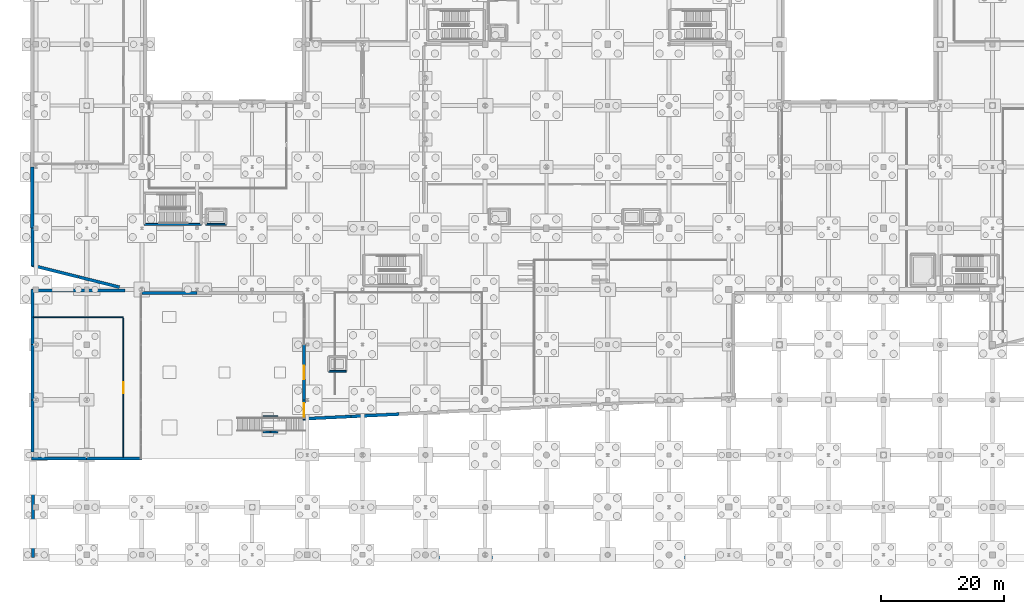
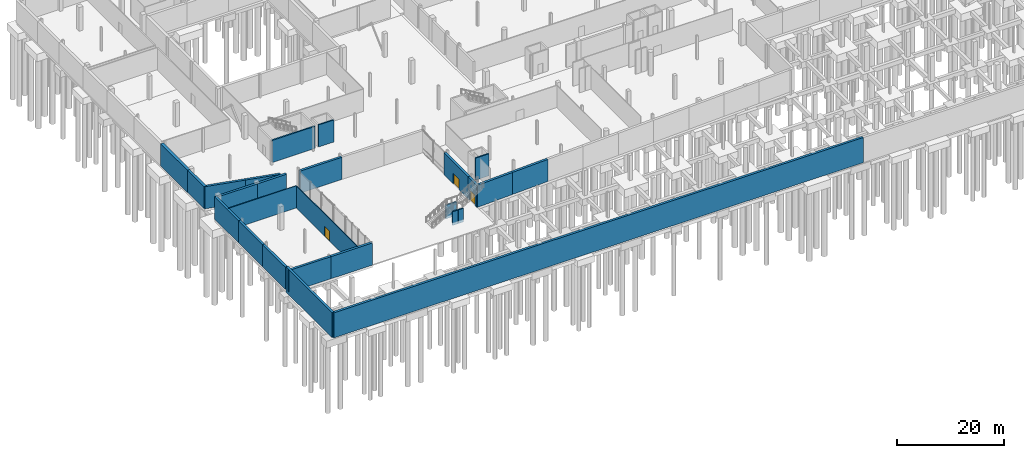
# One storey, part 42 of 60: 26 walls, 3 doors, 3 openings.
"""IFC4 building model written with IfcOpenShell, lengths in metres."""

from ifc_helpers import new_model, si_unit, direction, frame, frame_2d, origin, place, context, subcontext, project, spatial, rectangle, extrude, material, layer, layer_set, type_object, element, fill, save


model = new_model("IFC4")

# Units and contexts
model_context = context("Model", 3, precision=1e-05, world=origin(), true_north=direction((0.0, 1.0)))
body_context = subcontext(model_context, "Body", "Model", "MODEL_VIEW")
ifc_project = project(units=[si_unit("LENGTHUNIT", "METRE"), si_unit("AREAUNIT", "SQUARE_METRE"), si_unit("VOLUMEUNIT", "CUBIC_METRE"), si_unit("PLANEANGLEUNIT", "RADIAN"), si_unit("MASSUNIT", "GRAM", prefix="KILO")], contexts=[model_context])

# Site, building, storey
site_placement = place(None, origin())
site = spatial("IfcSite", under=ifc_project, at=site_placement, CompositionType="ELEMENT")
building_placement = place(site_placement, origin())
building = spatial("IfcBuilding", under=site, at=building_placement, Name="Trimount Lyric Opera House", CompositionType="ELEMENT")
storey_placement = place(building_placement, frame((0.0, 0.0, -5.39990234375)))
storey = spatial("IfcBuildingStorey", under=building, at=storey_placement, Name="B1", CompositionType="ELEMENT", Elevation=-5.39990234375)

# Wall
ifc_material_1 = material(Name="Acoustic Double-Stud Gypsum Board")
ifc_layer_1 = layer(ifc_material_1, 0.1650390625)
ifc_layer_set_1 = layer_set([ifc_layer_1], Name="WL-PT165")
wall_type_1 = type_object("IfcWallType", Name="WL-PT165", PredefinedType="PARTITIONING", material=ifc_layer_set_1)
wall_1_placement = place(storey_placement, frame((15.0, 39.5, 0.0), z_axis=(0.0, 0.0, 1.0), x_axis=(-1.0, 0.0, 0.0)))
element("IfcWall", 1, at=wall_1_placement, inside=storey, type_object=wall_type_1, Name="B1 Metro Ticket Concourse N partition", PredefinedType="PARTITIONING", context=body_context, shape_type="SweptSolid", body=[
    extrude(rectangle(XDim=14.75, YDim=0.1650390625, at=frame_2d((7.375, 0.0))), origin(), (0.0, 0.0, 1.0), 5.0498046875),
])

# Wall, opening, door
wall_2_placement = place(storey_placement, frame((15.0, 16.60009765625, 0.0), z_axis=(0.0, 0.0, 1.0), x_axis=(0.0, 1.0, 0.0)))
wall_2 = element("IfcWall", 2, at=wall_2_placement, inside=storey, type_object=wall_type_1, Name="B1 Metro Ticket Concourse E partition", PredefinedType="PARTITIONING", context=body_context, shape_type="SweptSolid", body=[
    extrude(rectangle(XDim=22.73486328125, YDim=0.1650390625, at=frame_2d((11.367431640625, 0.0))), origin(), (0.0, 0.0, 1.0), 5.0498046875),
])
opening_1_placement = place(wall_2_placement, frame((10.492431640625, 0.0, 0.0)))
opening_1 = element("IfcOpeningElement", 3, at=opening_1_placement, cuts=wall_2, Name="Opening DT-COR1", PredefinedType="OPENING", context=body_context, shape_type="SweptSolid", body=[
    extrude(rectangle(XDim=1.75, YDim=2.199951171875, at=frame_2d((0.875, 1.10009765625))), frame((0.0, 0.092529296875, 0.0), z_axis=(0.0, -1.0, 0.0), x_axis=(1.0, 0.0, 0.0)), (0.0, 0.0, 1.0), 0.18505859375),
])
ifc_material_2 = material(Name="Fire-Rated Timber Veneer", Category="wood")
door_type_1 = type_object("IfcDoorType", Name="DT-COR1", OperationType="DOUBLE_DOOR_SINGLE_SWING", PredefinedType="DOOR", material=ifc_material_2)
door_1_placement = place(opening_1_placement, origin())
door_1 = element("IfcDoor", 4, at=door_1_placement, inside=storey, type_object=door_type_1, Name="D-162", OperationType="DOUBLE_DOOR_SINGLE_SWING", OverallHeight=2.199951171875, OverallWidth=1.75, PredefinedType="DOOR", context=body_context, shape_type="SweptSolid", body=[
    extrude(rectangle(XDim=1.75, YDim=2.199951171875, at=frame_2d((0.875, 1.10009765625))), frame((0.0, 0.02490234375, 0.0), z_axis=(0.0, -1.0, 0.0), x_axis=(1.0, 0.0, 0.0)), (0.0, 0.0, 1.0), 0.050048828125),
])
fill(opening_1, door_1)

# Walls
ifc_material_3 = material(Name="Concrete C40/50", Category="concrete")
ifc_layer_2 = layer(ifc_material_3, 0.5)
ifc_layer_set_2 = layer_set([ifc_layer_2], Name="WL-RET500")
wall_type_2 = type_object("IfcWallType", Name="WL-RET500", PredefinedType="USERDEFINED", material=ifc_layer_set_2)
wall_3_placement = place(storey_placement, frame((0.25, 0.25, -0.60009765625), z_axis=(0.0, 0.0, 1.0), x_axis=(1.0, 0.0, 0.0)))
element("IfcWall", 5, at=wall_3_placement, inside=storey, type_object=wall_type_2, Name="B1 plaza perimeter retaining plinth wall PLINTH-S1", ObjectType="RETAININGWALL", PredefinedType="USERDEFINED", context=body_context, shape_type="SweptSolid", body=[
    extrude(rectangle(XDim=114.25, YDim=0.5, at=frame_2d((57.125, 0.0))), origin(), (0.0, 0.0, 1.0), 5.719970703125),
])
wall_4_placement = place(storey_placement, frame((0.25, 0.25, -0.60009765625), z_axis=(0.0, 0.0, 1.0), x_axis=(0.0, 1.0, 0.0)))
element("IfcWall", 6, at=wall_4_placement, inside=storey, type_object=wall_type_2, Name="B1 plaza perimeter retaining plinth wall PLINTH-W1", ObjectType="RETAININGWALL", PredefinedType="USERDEFINED", context=body_context, shape_type="SweptSolid", body=[
    extrude(rectangle(XDim=17.25, YDim=0.5, at=frame_2d((8.625, 0.0))), origin(), (0.0, 0.0, 1.0), 5.719970703125),
])
wall_5_placement = place(storey_placement, frame((0.139892578125, 47.820068359375, 0.0), z_axis=(0.0, 0.0, 1.0), x_axis=(0.0, 1.0, 0.0)))
element("IfcWall", 7, at=wall_5_placement, inside=storey, type_object=wall_type_2, Name="B1 exterior retaining wall 001", ObjectType="RETAININGWALL", PredefinedType="USERDEFINED", context=body_context, shape_type="SweptSolid", body=[
    extrude(rectangle(XDim=6.179931640625, YDim=0.5, at=frame_2d((3.08984375, 0.0))), origin(), (0.0, 0.0, 1.0), 5.0498046875),
])
wall_6_placement = place(storey_placement, frame((59.94873046875, 23.669677734375, 0.0), z_axis=(0.0, 0.0, 1.0), x_axis=(-0.998810906812, -0.048752153124, 0.0)))
element("IfcWall", 8, at=wall_6_placement, inside=storey, type_object=wall_type_2, Name="B1 exterior retaining wall 054", ObjectType="RETAININGWALL", PredefinedType="USERDEFINED", context=body_context, shape_type="SweptSolid", body=[
    extrude(rectangle(XDim=7.8271484375, YDim=0.5, at=frame_2d((3.91357421875, 0.0))), origin(), (0.0, 0.0, 1.0), 5.02001953125),
])
wall_7_placement = place(storey_placement, frame((52.130859375, 23.2880859375, 0.0), z_axis=(0.0, 0.0, 1.0), x_axis=(-0.998812351125, -0.048722553713, 0.0)))
element("IfcWall", 9, at=wall_7_placement, inside=storey, type_object=wall_type_2, Name="B1 exterior retaining wall 055", ObjectType="RETAININGWALL", PredefinedType="USERDEFINED", context=body_context, shape_type="SweptSolid", body=[
    extrude(rectangle(XDim=7.826904296875, YDim=0.5, at=frame_2d((3.91357421875, 0.0))), origin(), (0.0, 0.0, 1.0), 5.02001953125),
])

# Wall, opening, door
wall_8_placement = place(storey_placement, frame((44.4599609375, 22.766845703125, 0.0), z_axis=(0.0, 0.0, 1.0), x_axis=(0.0, 1.0, 0.0)))
wall_8 = element("IfcWall", 10, at=wall_8_placement, inside=storey, type_object=wall_type_2, Name="B1 exterior retaining wall 056", ObjectType="RETAININGWALL", PredefinedType="USERDEFINED", context=body_context, shape_type="SweptSolid", body=[
    extrude(rectangle(XDim=3.233154296875, YDim=0.5, at=frame_2d((1.61669921875, 0.0))), origin(), (0.0, 0.0, 1.0), 5.02001953125),
])
opening_2_placement = place(wall_8_placement, frame((0.5166015625, 0.0, 0.0)))
opening_2 = element("IfcOpeningElement", 11, at=opening_2_placement, cuts=wall_8, Name="Opening DT-EX2", PredefinedType="OPENING", context=body_context, shape_type="SweptSolid", body=[
    extrude(rectangle(XDim=2.199951171875, YDim=2.39990234375, at=frame_2d((1.10009765625, 1.199951171875))), frame((0.0, 0.260009765625, 0.0), z_axis=(0.0, -1.0, 0.0), x_axis=(1.0, 0.0, 0.0)), (0.0, 0.0, 1.0), 0.52001953125),
])
ifc_material_4 = material(Name="Anodised Bronze Glazed Assembly")
door_type_2 = type_object("IfcDoorType", Name="DT-EX2", OperationType="DOUBLE_DOOR_SINGLE_SWING", PredefinedType="DOOR", material=ifc_material_4)
door_2_placement = place(opening_2_placement, origin())
door_2 = element("IfcDoor", 12, at=door_2_placement, inside=storey, type_object=door_type_2, Name="D-137", OperationType="DOUBLE_DOOR_SINGLE_SWING", OverallHeight=2.39990234375, OverallWidth=2.199951171875, PredefinedType="DOOR", context=body_context, shape_type="SweptSolid", body=[
    extrude(rectangle(XDim=2.199951171875, YDim=2.39990234375, at=frame_2d((1.10009765625, 1.199951171875))), frame((0.0, 0.02490234375, 0.0), z_axis=(0.0, -1.0, 0.0), x_axis=(1.0, 0.0, 0.0)), (0.0, 0.0, 1.0), 0.050048828125),
])
fill(opening_2, door_2)

wall_9_placement = place(storey_placement, frame((44.4599609375, 26.0, 0.0), z_axis=(0.0, 0.0, 1.0), x_axis=(0.0, 1.0, 0.0)))
wall_9 = element("IfcWall", 13, at=wall_9_placement, inside=storey, type_object=wall_type_2, Name="B1 exterior retaining wall 057", ObjectType="RETAININGWALL", PredefinedType="USERDEFINED", context=body_context, shape_type="SweptSolid", body=[
    extrude(rectangle(XDim=9.0, YDim=0.5, at=frame_2d((4.5, 0.0))), origin(), (0.0, 0.0, 1.0), 5.02001953125),
])
opening_3_placement = place(wall_9_placement, frame((3.39990234375, 0.0, 0.0)))
opening_3 = element("IfcOpeningElement", 14, at=opening_3_placement, cuts=wall_9, Name="Opening DT-EX2", PredefinedType="OPENING", context=body_context, shape_type="SweptSolid", body=[
    extrude(rectangle(XDim=2.199951171875, YDim=2.39990234375, at=frame_2d((1.10009765625, 1.199951171875))), frame((0.0, 0.260009765625, 0.0), z_axis=(0.0, -1.0, 0.0), x_axis=(1.0, 0.0, 0.0)), (0.0, 0.0, 1.0), 0.52001953125),
])
door_3_placement = place(opening_3_placement, origin())
door_3 = element("IfcDoor", 15, at=door_3_placement, inside=storey, type_object=door_type_2, Name="D-138", OperationType="DOUBLE_DOOR_SINGLE_SWING", OverallHeight=2.39990234375, OverallWidth=2.199951171875, PredefinedType="DOOR", context=body_context, shape_type="SweptSolid", body=[
    extrude(rectangle(XDim=2.199951171875, YDim=2.39990234375, at=frame_2d((1.10009765625, 1.199951171875))), frame((0.0, 0.02490234375, 0.0), z_axis=(0.0, -1.0, 0.0), x_axis=(1.0, 0.0, 0.0)), (0.0, 0.0, 1.0), 0.050048828125),
])
fill(opening_3, door_3)

# Walls
for number, where, z_axis, x_axis, name in (
    (16, (27.0, 43.4599609375, 0.0), (0.0, 0.0, 1.0), (-1.0, 0.0, 0.0), "B1 exterior retaining wall 060"),
    (17, (18.0, 16.4599609375, 0.0), (0.0, 0.0, 1.0), (-1.0, 0.0, 0.0), "B1 exterior retaining wall 061"),
    (18, (9.0, 16.4599609375, 0.0), (0.0, 0.0, 1.0), (-1.0, 0.0, 0.0), "B1 exterior retaining wall 062"),
):
    element("IfcWall", number, at=place(storey_placement, frame(where, z_axis=z_axis, x_axis=x_axis)), inside=storey, type_object=wall_type_2, Name=name, ObjectType="RETAININGWALL", PredefinedType="USERDEFINED", context=body_context, shape_type="SweptSolid", body=[
        extrude(rectangle(XDim=9.0, YDim=0.5, at=frame_2d((4.5, 0.0))), origin(), (0.0, 0.0, 1.0), 5.0498046875),
    ])
wall_10_placement = place(storey_placement, frame((0.139892578125, 17.5, 0.0), z_axis=(0.0, 0.0, 1.0), x_axis=(0.0, 1.0, 0.0)))
element("IfcWall", 19, at=wall_10_placement, inside=storey, type_object=wall_type_2, Name="B1 exterior retaining wall 063", ObjectType="RETAININGWALL", PredefinedType="USERDEFINED", context=body_context, shape_type="SweptSolid", body=[
    extrude(rectangle(XDim=8.5, YDim=0.5, at=frame_2d((4.25, 0.0))), origin(), (0.0, 0.0, 1.0), 5.0498046875),
])
for number, where, z_axis, x_axis, name in (
    (20, (0.139892578125, 26.0, 0.0), (0.0, 0.0, 1.0), (0.0, 1.0, 0.0), "B1 exterior retaining wall 064"),
    (21, (0.139892578125, 35.0, 0.0), (0.0, 0.0, 1.0), (0.0, 1.0, 0.0), "B1 exterior retaining wall 065"),
    (22, (0.0, 43.860107421875, 0.0), (0.0, 0.0, 1.0), (1.0, 0.0, 0.0), "B1 exterior retaining wall 066"),
):
    element("IfcWall", number, at=place(storey_placement, frame(where, z_axis=z_axis, x_axis=x_axis)), inside=storey, type_object=wall_type_2, Name=name, ObjectType="RETAININGWALL", PredefinedType="USERDEFINED", context=body_context, shape_type="SweptSolid", body=[
        extrude(rectangle(XDim=9.0, YDim=0.5, at=frame_2d((4.5, 0.0))), origin(), (0.0, 0.0, 1.0), 5.0498046875),
    ])
wall_11_placement = place(storey_placement, frame((9.0, 43.860107421875, 0.0), z_axis=(0.0, 0.0, 1.0), x_axis=(1.0, 0.0, 0.0)))
element("IfcWall", 23, at=wall_11_placement, inside=storey, type_object=wall_type_2, Name="B1 exterior retaining wall 067", ObjectType="RETAININGWALL", PredefinedType="USERDEFINED", context=body_context, shape_type="SweptSolid", body=[
    extrude(rectangle(XDim=6.280029296875, YDim=0.5, at=frame_2d((3.14013671875, 0.0))), origin(), (0.0, 0.0, 1.0), 5.0498046875),
])
wall_12_placement = place(storey_placement, frame((14.337158203125, 44.3798828125, 0.0), z_axis=(0.0, 0.0, 1.0), x_axis=(-0.970136227132, 0.242560715713, 0.0)))
element("IfcWall", 24, at=wall_12_placement, inside=storey, type_object=wall_type_2, Name="B1 exterior retaining wall 068", ObjectType="RETAININGWALL", PredefinedType="USERDEFINED", context=body_context, shape_type="SweptSolid", body=[
    extrude(rectangle(XDim=6.868408203125, YDim=0.5, at=frame_2d((3.43408203125, 0.0))), origin(), (0.0, 0.0, 1.0), 5.0498046875),
])
wall_13_placement = place(storey_placement, frame((7.673828125, 46.0458984375, 0.0), z_axis=(0.0, 0.0, 1.0), x_axis=(-0.970144323763, 0.242528330451, 0.0)))
element("IfcWall", 25, at=wall_13_placement, inside=storey, type_object=wall_type_2, Name="B1 exterior retaining wall 069", ObjectType="RETAININGWALL", PredefinedType="USERDEFINED", context=body_context, shape_type="SweptSolid", body=[
    extrude(rectangle(XDim=7.875, YDim=0.5, at=frame_2d((3.9375, 0.0))), origin(), (0.0, 0.0, 1.0), 5.0498046875),
])
ifc_material_5 = material(Name="Concrete C40/50", Category="concrete")
ifc_layer_3 = layer(ifc_material_5, 0.60009765625)
ifc_layer_set_3 = layer_set([ifc_layer_3], Name="WL-RET600")
wall_type_3 = type_object("IfcWallType", Name="WL-RET600", PredefinedType="USERDEFINED", material=ifc_layer_set_3)
wall_14_placement = place(storey_placement, frame((0.139892578125, 54.0, 0.0), z_axis=(0.0, 0.0, 1.0), x_axis=(0.0, 1.0, 0.0)))
element("IfcWall", 26, at=wall_14_placement, inside=storey, type_object=wall_type_3, Name="B1 exterior retaining wall 002", ObjectType="RETAININGWALL", PredefinedType="USERDEFINED", context=body_context, shape_type="SweptSolid", body=[
    extrude(rectangle(XDim=10.0, YDim=0.60009765625, at=frame_2d((5.0, 0.0))), origin(), (0.0, 0.0, 1.0), 5.0498046875),
])
ifc_material_6 = material(Name="Concrete C40/50", Category="concrete")
ifc_layer_4 = layer(ifc_material_6, 0.280029296875)
ifc_layer_set_4 = layer_set([ifc_layer_4], Name="WL-SH280")
wall_type_4 = type_object("IfcWallType", Name="WL-SH280", PredefinedType="SHEAR", material=ifc_layer_set_4)
for number, where, z_axis, x_axis, name in (
    (27, (37.780029296875, 20.764892578125, -0.60009765625), (0.0, 0.0, 1.0), (1.0, 0.0, 0.0), "Sunken Metro Forecourt Grand Stair B1 landing fin pier SL"),
    (28, (39.0400390625, 20.764892578125, -0.60009765625), (0.0, 0.0, 1.0), (1.0, 0.0, 0.0), "Sunken Metro Forecourt Grand Stair B1 landing fin pier SR"),
):
    element("IfcWall", number, at=place(storey_placement, frame(where, z_axis=z_axis, x_axis=x_axis)), inside=storey, type_object=wall_type_4, Name=name, PredefinedType="SHEAR", context=body_context, shape_type="SweptSolid", body=[
        extrude(rectangle(XDim=1.139892578125, YDim=0.280029296875, at=frame_2d((0.56982421875, 0.0))), origin(), (0.0, 0.0, 1.0), 3.10009765625),
    ])
wall_15_placement = place(storey_placement, frame((37.780029296875, 23.235107421875, -0.60009765625), z_axis=(0.0, 0.0, 1.0), x_axis=(1.0, 0.0, 0.0)))
element("IfcWall", 29, at=wall_15_placement, inside=storey, type_object=wall_type_4, Name="Sunken Metro Forecourt Grand Stair B1 landing fin pier N", PredefinedType="SHEAR", context=body_context, shape_type="SweptSolid", body=[
    extrude(rectangle(XDim=2.39990234375, YDim=0.280029296875, at=frame_2d((1.199951171875, 0.0))), origin(), (0.0, 0.0, 1.0), 3.10009765625),
])
wall_16_placement = place(storey_placement, frame((28.4599609375, 54.659912109375, 0.0), z_axis=(0.0, 0.0, 1.0), x_axis=(1.0, 0.0, 0.0)))
element("IfcWall", 30, at=wall_16_placement, inside=storey, type_object=wall_type_4, Name="Lift LF-06 B1 south shaft wall", PredefinedType="SHEAR", context=body_context, shape_type="SweptSolid", body=[
    extrude(rectangle(XDim=3.280029296875, YDim=0.280029296875, at=frame_2d((1.64013671875, 0.0))), origin(), (0.0, 0.0, 1.0), 5.0498046875),
])
wall_17_placement = place(storey_placement, frame((48.4599609375, 30.659912109375, 0.0), z_axis=(0.0, 0.0, 1.0), x_axis=(1.0, 0.0, 0.0)))
element("IfcWall", 31, at=wall_17_placement, inside=storey, type_object=wall_type_4, Name="Lift LF-08 B1 south shaft wall", PredefinedType="SHEAR", context=body_context, shape_type="SweptSolid", body=[
    extrude(rectangle(XDim=2.880126953125, YDim=0.280029296875, at=frame_2d((1.43994140625, 0.0))), origin(), (0.0, 0.0, 1.0), 5.02001953125),
])
ifc_material_7 = material(Name="Concrete C40/50", Category="concrete")
ifc_layer_5 = layer(ifc_material_7, 0.320068359375)
ifc_layer_set_5 = layer_set([ifc_layer_5], Name="WL-SH320")
wall_type_5 = type_object("IfcWallType", Name="WL-SH320", PredefinedType="SHEAR", material=ifc_layer_set_5)
wall_18_placement = place(storey_placement, frame((18.425048828125, 54.625, 0.0), z_axis=(0.0, 0.0, 1.0), x_axis=(1.0, 0.0, 0.0)))
element("IfcWall", 32, at=wall_18_placement, inside=storey, type_object=wall_type_5, Name="K6 B1 south shaft wall", PredefinedType="SHEAR", context=body_context, shape_type="SweptSolid", body=[
    extrude(rectangle(XDim=9.25, YDim=0.320068359375, at=frame_2d((4.625, 0.0))), origin(), (0.0, 0.0, 1.0), 5.0498046875),
])

save(model, "model.ifc")
